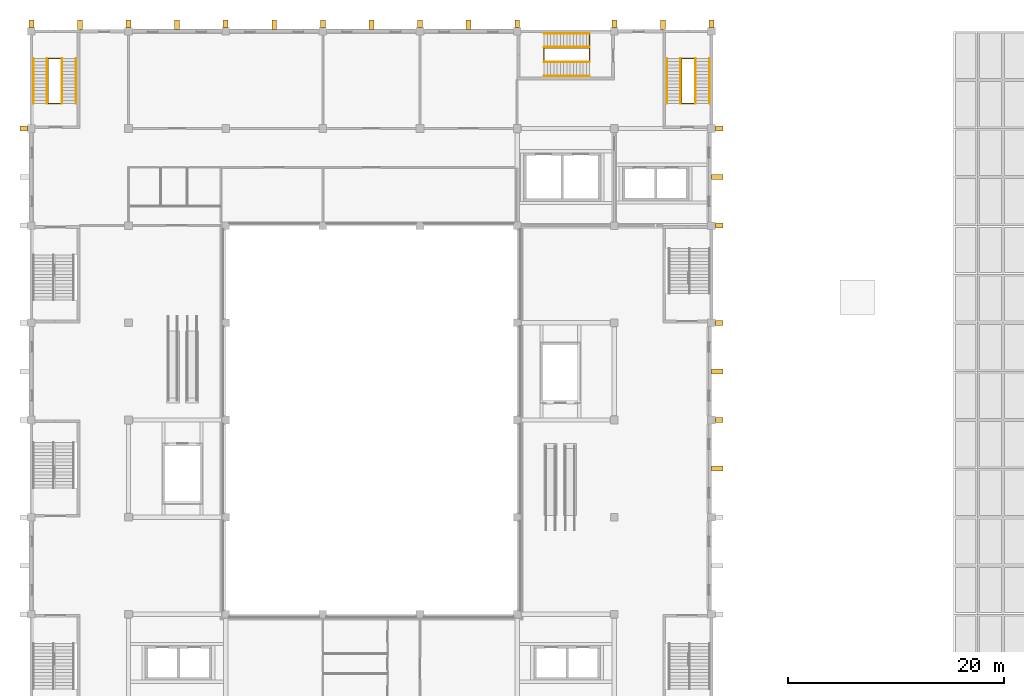
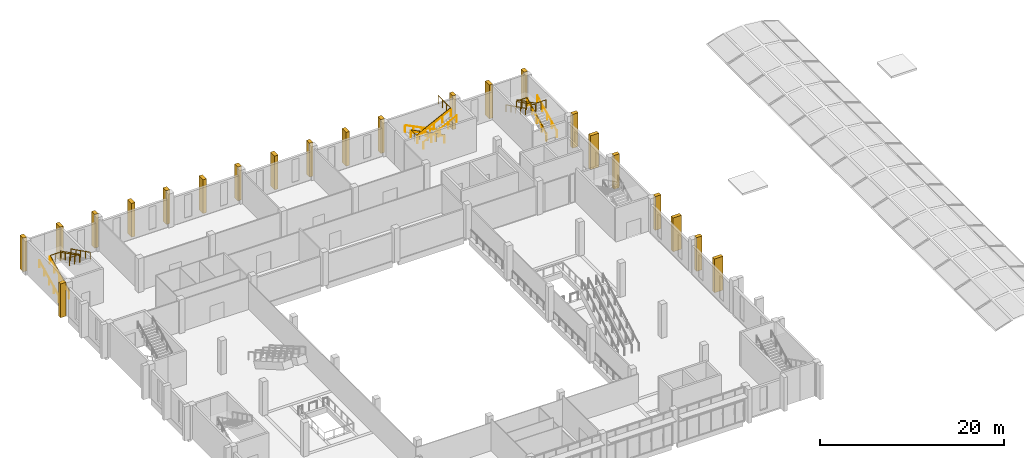
# One storey, part 42 of 45: 22 coverings, 15 railings.
"""IFC4 building model written with IfcOpenShell, lengths in metres."""

from ifc_helpers import new_model, si_unit, direction, frame, origin, origin_2d, place, context, subcontext, project, spatial, rectangle, circle, extrude, material, layer, layer_set, type_object, element, save


model = new_model("IFC4")

# Units and contexts
model_context = context("Model", 3, precision=1e-05, world=origin(), true_north=direction((0.0, 1.0)))
body_context = subcontext(model_context, "Body", "Model", "MODEL_VIEW")
ifc_project = project(units=[si_unit("LENGTHUNIT", "METRE"), si_unit("AREAUNIT", "SQUARE_METRE"), si_unit("VOLUMEUNIT", "CUBIC_METRE"), si_unit("PLANEANGLEUNIT", "RADIAN"), si_unit("MASSUNIT", "GRAM", prefix="KILO")], contexts=[model_context])

# Site, building, storey
site_placement = place(None, origin())
site = spatial("IfcSite", under=ifc_project, at=site_placement, CompositionType="ELEMENT")
building_placement = place(site_placement, origin())
building = spatial("IfcBuilding", under=site, at=building_placement, Name="Guidao Yard Department Store", CompositionType="ELEMENT")
storey_placement = place(building_placement, frame((0.0, 0.0, 19.5)))
storey = spatial("IfcBuildingStorey", under=building, at=storey_placement, Name="L04", CompositionType="ELEMENT", Elevation=19.5)

# Railings
ifc_material_1 = material(Name="Steel Q235", Category="steel")
railing_type_1 = type_object("IfcRailingType", Name="Guard steel balustrade 1100", PredefinedType="GUARDRAIL", material=ifc_material_1)
railing_1_placement = place(storey_placement, frame((1.52490234375, 101.300048828125, 0.14990234375)))
element("IfcRailing", 1, at=railing_1_placement, inside=storey, type_object=railing_type_1, Name="Stair A5 guard L04 5", PredefinedType="GUARDRAIL", context=body_context, shape_type="SweptSolid", body=[
    extrude(circle(Radius=0.02392578125, at=origin_2d()), frame((0.0, 0.0, 1.076171875), z_axis=(0.0, 0.894416792377, 0.447234392142), x_axis=(-1.0, 0.0, 0.0)), (0.0, 0.0, 1.0), 4.69580078125),
    extrude(circle(Radius=0.02392578125, at=origin_2d()), frame((0.0, 4.199951171875, 3.17626953125), z_axis=(1.0, 0.0, 0.0), x_axis=(0.0, 1.0, 0.0)), (0.0, 0.0, 1.0), 1.275146484375),
    extrude(circle(Radius=0.02392578125, at=origin_2d()), frame((1.275146484375, 4.199951171875, 3.17626953125), z_axis=(0.0, 0.0, 1.0), x_axis=(1.0, 0.0, 0.0)), (0.0, 0.0, 1.0), 0.14990234375),
    extrude(circle(Radius=0.02392578125, at=origin_2d()), frame((1.275146484375, 4.199951171875, 3.326171875), z_axis=(0.0, -0.894416792377, 0.447234392142), x_axis=(1.0, 0.0, 0.0)), (0.0, 0.0, 1.0), 4.69580078125),
    extrude(circle(Radius=0.02392578125, at=origin_2d()), frame((1.275146484375, 0.0, 5.42626953125), z_axis=(-1.0, 0.0, 0.0), x_axis=(0.0, -1.0, 0.0)), (0.0, 0.0, 1.0), 1.275146484375),
    extrude(circle(Radius=0.02099609375, at=origin_2d()), origin(), (0.0, 0.0, 1.0), 1.052001953125),
    extrude(circle(Radius=0.02099609375, at=origin_2d()), frame((0.0, 1.050048828125, 0.52490234375)), (0.0, 0.0, 1.0), 1.052001953125),
    extrude(circle(Radius=0.02099609375, at=origin_2d()), frame((0.0, 2.10009765625, 1.050048828125)), (0.0, 0.0, 1.0), 1.052001953125),
    extrude(circle(Radius=0.02099609375, at=origin_2d()), frame((0.0, 3.14990234375, 1.5751953125)), (0.0, 0.0, 1.0), 1.052001953125),
    extrude(circle(Radius=0.02099609375, at=origin_2d()), frame((0.0, 4.199951171875, 2.10009765625)), (0.0, 0.0, 1.0), 1.052001953125),
    extrude(circle(Radius=0.02099609375, at=origin_2d()), frame((0.6376953125, 4.199951171875, 2.10009765625)), (0.0, 0.0, 1.0), 1.052001953125),
    extrude(circle(Radius=0.02099609375, at=origin_2d()), frame((1.275146484375, 4.199951171875, 2.10009765625)), (0.0, 0.0, 1.0), 1.052001953125),
    extrude(circle(Radius=0.02099609375, at=origin_2d()), frame((1.275146484375, 4.199951171875, 2.25)), (0.0, 0.0, 1.0), 1.052001953125),
    extrude(circle(Radius=0.02099609375, at=origin_2d()), frame((1.275146484375, 3.14990234375, 2.77490234375)), (0.0, 0.0, 1.0), 1.052001953125),
    extrude(circle(Radius=0.02099609375, at=origin_2d()), frame((1.275146484375, 2.10009765625, 3.300048828125)), (0.0, 0.0, 1.0), 1.052001953125),
    extrude(circle(Radius=0.02099609375, at=origin_2d()), frame((1.275146484375, 1.050048828125, 3.8251953125)), (0.0, 0.0, 1.0), 1.052001953125),
    extrude(circle(Radius=0.02099609375, at=origin_2d()), frame((1.275146484375, 0.0, 4.35009765625)), (0.0, 0.0, 1.0), 1.052001953125),
    extrude(circle(Radius=0.02099609375, at=origin_2d()), frame((0.6376953125, 0.0, 4.35009765625)), (0.0, 0.0, 1.0), 1.052001953125),
    extrude(circle(Radius=0.02099609375, at=origin_2d()), frame((0.0, 0.0, 4.35009765625)), (0.0, 0.0, 1.0), 1.052001953125),
])
railing_2_placement = place(storey_placement, frame((61.47509765625, 101.300048828125, 0.14990234375)))
element("IfcRailing", 2, at=railing_2_placement, inside=storey, type_object=railing_type_1, Name="Stair A6 guard L04 6", PredefinedType="GUARDRAIL", context=body_context, shape_type="SweptSolid", body=[
    extrude(circle(Radius=0.02392578125, at=origin_2d()), frame((0.0, 0.0, 1.076171875), z_axis=(0.0, 0.894416792377, 0.447234392142), x_axis=(-1.0, 0.0, 0.0)), (0.0, 0.0, 1.0), 4.69580078125),
    extrude(circle(Radius=0.02392578125, at=origin_2d()), frame((0.0, 4.199951171875, 3.17626953125), z_axis=(-1.0, 0.0, 0.0), x_axis=(0.0, -1.0, 0.0)), (0.0, 0.0, 1.0), 1.275146484375),
    extrude(circle(Radius=0.02392578125, at=origin_2d()), frame((-1.275146484375, 4.199951171875, 3.17626953125), z_axis=(0.0, 0.0, 1.0), x_axis=(1.0, 0.0, 0.0)), (0.0, 0.0, 1.0), 0.14990234375),
    extrude(circle(Radius=0.02392578125, at=origin_2d()), frame((-1.275146484375, 4.199951171875, 3.326171875), z_axis=(0.0, -0.894416792377, 0.447234392142), x_axis=(1.0, 0.0, 0.0)), (0.0, 0.0, 1.0), 4.69580078125),
    extrude(circle(Radius=0.02392578125, at=origin_2d()), frame((-1.275146484375, 0.0, 5.42626953125), z_axis=(1.0, 0.0, 0.0), x_axis=(0.0, 1.0, 0.0)), (0.0, 0.0, 1.0), 1.275146484375),
    extrude(circle(Radius=0.02099609375, at=origin_2d()), origin(), (0.0, 0.0, 1.0), 1.052001953125),
    extrude(circle(Radius=0.02099609375, at=origin_2d()), frame((0.0, 1.050048828125, 0.52490234375)), (0.0, 0.0, 1.0), 1.052001953125),
    extrude(circle(Radius=0.02099609375, at=origin_2d()), frame((0.0, 2.10009765625, 1.050048828125)), (0.0, 0.0, 1.0), 1.052001953125),
    extrude(circle(Radius=0.02099609375, at=origin_2d()), frame((0.0, 3.14990234375, 1.5751953125)), (0.0, 0.0, 1.0), 1.052001953125),
    extrude(circle(Radius=0.02099609375, at=origin_2d()), frame((0.0, 4.199951171875, 2.10009765625)), (0.0, 0.0, 1.0), 1.052001953125),
    extrude(circle(Radius=0.02099609375, at=origin_2d()), frame((-0.6376953125, 4.199951171875, 2.10009765625)), (0.0, 0.0, 1.0), 1.052001953125),
    extrude(circle(Radius=0.02099609375, at=origin_2d()), frame((-1.275146484375, 4.199951171875, 2.10009765625)), (0.0, 0.0, 1.0), 1.052001953125),
    extrude(circle(Radius=0.02099609375, at=origin_2d()), frame((-1.275146484375, 4.199951171875, 2.25)), (0.0, 0.0, 1.0), 1.052001953125),
    extrude(circle(Radius=0.02099609375, at=origin_2d()), frame((-1.275146484375, 3.14990234375, 2.77490234375)), (0.0, 0.0, 1.0), 1.052001953125),
    extrude(circle(Radius=0.02099609375, at=origin_2d()), frame((-1.275146484375, 2.10009765625, 3.300048828125)), (0.0, 0.0, 1.0), 1.052001953125),
    extrude(circle(Radius=0.02099609375, at=origin_2d()), frame((-1.275146484375, 1.050048828125, 3.8251953125)), (0.0, 0.0, 1.0), 1.052001953125),
    extrude(circle(Radius=0.02099609375, at=origin_2d()), frame((-1.275146484375, 0.0, 4.35009765625)), (0.0, 0.0, 1.0), 1.052001953125),
    extrude(circle(Radius=0.02099609375, at=origin_2d()), frame((-0.6376953125, 0.0, 4.35009765625)), (0.0, 0.0, 1.0), 1.052001953125),
    extrude(circle(Radius=0.02099609375, at=origin_2d()), frame((0.0, 0.0, 4.35009765625)), (0.0, 0.0, 1.0), 1.052001953125),
])
railing_3_placement = place(storey_placement, frame((51.699951171875, 106.47509765625, 0.14990234375)))
element("IfcRailing", 3, at=railing_3_placement, inside=storey, type_object=railing_type_1, Name="Stair A7 guard L04 7", PredefinedType="GUARDRAIL", context=body_context, shape_type="SweptSolid", body=[
    extrude(circle(Radius=0.02392578125, at=origin_2d()), frame((0.0, 0.0, 1.076171875), z_axis=(-0.894416792377, 0.0, 0.447234392142), x_axis=(0.0, -1.0, 0.0)), (0.0, 0.0, 1.0), 4.69580078125),
    extrude(circle(Radius=0.02392578125, at=origin_2d()), frame((-4.199951171875, 0.0, 3.17626953125), z_axis=(0.0, -1.0, 0.0), x_axis=(1.0, 0.0, 0.0)), (0.0, 0.0, 1.0), 1.275146484375),
    extrude(circle(Radius=0.02392578125, at=origin_2d()), frame((-4.199951171875, -1.275146484375, 3.17626953125), z_axis=(0.0, 0.0, 1.0), x_axis=(1.0, 0.0, 0.0)), (0.0, 0.0, 1.0), 0.14990234375),
    extrude(circle(Radius=0.02392578125, at=origin_2d()), frame((-4.199951171875, -1.275146484375, 3.326171875), z_axis=(0.894416792377, 0.0, 0.447234392142), x_axis=(0.0, 1.0, 0.0)), (0.0, 0.0, 1.0), 4.69580078125),
    extrude(circle(Radius=0.02392578125, at=origin_2d()), frame((0.0, -1.275146484375, 5.42626953125), z_axis=(0.0, 1.0, 0.0), x_axis=(-1.0, 0.0, 0.0)), (0.0, 0.0, 1.0), 2.675048828125),
    extrude(circle(Radius=0.02099609375, at=origin_2d()), origin(), (0.0, 0.0, 1.0), 1.052001953125),
    extrude(circle(Radius=0.02099609375, at=origin_2d()), frame((-1.050048828125, 0.0, 0.52490234375)), (0.0, 0.0, 1.0), 1.052001953125),
    extrude(circle(Radius=0.02099609375, at=origin_2d()), frame((-2.10009765625, 0.0, 1.050048828125)), (0.0, 0.0, 1.0), 1.052001953125),
    extrude(circle(Radius=0.02099609375, at=origin_2d()), frame((-3.14990234375, 0.0, 1.5751953125)), (0.0, 0.0, 1.0), 1.052001953125),
    extrude(circle(Radius=0.02099609375, at=origin_2d()), frame((-4.199951171875, 0.0, 2.10009765625)), (0.0, 0.0, 1.0), 1.052001953125),
    extrude(circle(Radius=0.02099609375, at=origin_2d()), frame((-4.199951171875, -0.6376953125, 2.10009765625)), (0.0, 0.0, 1.0), 1.052001953125),
    extrude(circle(Radius=0.02099609375, at=origin_2d()), frame((-4.199951171875, -1.275146484375, 2.10009765625)), (0.0, 0.0, 1.0), 1.052001953125),
    extrude(circle(Radius=0.02099609375, at=origin_2d()), frame((-4.199951171875, -1.275146484375, 2.25)), (0.0, 0.0, 1.0), 1.052001953125),
    extrude(circle(Radius=0.02099609375, at=origin_2d()), frame((-3.14990234375, -1.275146484375, 2.77490234375)), (0.0, 0.0, 1.0), 1.052001953125),
    extrude(circle(Radius=0.02099609375, at=origin_2d()), frame((-2.10009765625, -1.275146484375, 3.300048828125)), (0.0, 0.0, 1.0), 1.052001953125),
    extrude(circle(Radius=0.02099609375, at=origin_2d()), frame((-1.050048828125, -1.275146484375, 3.8251953125)), (0.0, 0.0, 1.0), 1.052001953125),
    extrude(circle(Radius=0.02099609375, at=origin_2d()), frame((0.0, -1.275146484375, 4.35009765625)), (0.0, 0.0, 1.0), 1.052001953125),
    extrude(circle(Radius=0.02099609375, at=origin_2d()), frame((0.0, -0.383544921875, 4.35009765625)), (0.0, 0.0, 1.0), 1.052001953125),
    extrude(circle(Radius=0.02099609375, at=origin_2d()), frame((0.0, 0.50830078125, 4.35009765625)), (0.0, 0.0, 1.0), 1.052001953125),
    extrude(circle(Radius=0.02099609375, at=origin_2d()), frame((0.0, 1.39990234375, 4.35009765625)), (0.0, 0.0, 1.0), 1.052001953125),
])
ifc_material_2 = material(Name="Steel Q235", Category="steel")
railing_type_2 = type_object("IfcRailingType", Name="Handrail steel tube 48", PredefinedType="HANDRAIL", material=ifc_material_2)
for number, where, name in (
    (4, (0.18505859375, 101.300048828125, 0.14990234375), "Stair A5 hand rail L04 17"),
    (5, (1.465087890625, 101.300048828125, 0.14990234375), "Stair A5 hand rail L04 18"),
):
    element("IfcRailing", number, at=place(storey_placement, frame(where)), inside=storey, type_object=railing_type_2, Name=name, PredefinedType="HANDRAIL", context=body_context, shape_type="SweptSolid", body=[
        extrude(circle(Radius=0.02392578125, at=origin_2d()), frame((0.0, 0.0, 0.8759765625), z_axis=(0.0, 0.894416792377, 0.447234392142), x_axis=(-1.0, 0.0, 0.0)), (0.0, 0.0, 1.0), 4.69580078125),
        extrude(circle(Radius=0.02099609375, at=origin_2d()), origin(), (0.0, 0.0, 1.0), 0.851806640625),
        extrude(circle(Radius=0.02099609375, at=origin_2d()), frame((0.0, 1.050048828125, 0.52490234375)), (0.0, 0.0, 1.0), 0.851806640625),
        extrude(circle(Radius=0.02099609375, at=origin_2d()), frame((0.0, 2.10009765625, 1.050048828125)), (0.0, 0.0, 1.0), 0.851806640625),
        extrude(circle(Radius=0.02099609375, at=origin_2d()), frame((0.0, 3.14990234375, 1.5751953125)), (0.0, 0.0, 1.0), 0.851806640625),
        extrude(circle(Radius=0.02099609375, at=origin_2d()), frame((0.0, 4.199951171875, 2.10009765625)), (0.0, 0.0, 1.0), 0.851806640625),
    ])
for number, where, name in (
    (6, (2.860107421875, 105.5, 2.39990234375), "Stair A5 hand rail L04 19"),
    (7, (4.139892578125, 105.5, 2.39990234375), "Stair A5 hand rail L04 20"),
):
    element("IfcRailing", number, at=place(storey_placement, frame(where)), inside=storey, type_object=railing_type_2, Name=name, PredefinedType="HANDRAIL", context=body_context, shape_type="SweptSolid", body=[
        extrude(circle(Radius=0.02392578125, at=origin_2d()), frame((0.0, 0.0, 0.8759765625), z_axis=(0.0, -0.894416792377, 0.447234392142), x_axis=(1.0, 0.0, 0.0)), (0.0, 0.0, 1.0), 4.69580078125),
        extrude(circle(Radius=0.02099609375, at=origin_2d()), origin(), (0.0, 0.0, 1.0), 0.851806640625),
        extrude(circle(Radius=0.02099609375, at=origin_2d()), frame((0.0, -1.050048828125, 0.52490234375)), (0.0, 0.0, 1.0), 0.851806640625),
        extrude(circle(Radius=0.02099609375, at=origin_2d()), frame((0.0, -2.10009765625, 1.050048828125)), (0.0, 0.0, 1.0), 0.851806640625),
        extrude(circle(Radius=0.02099609375, at=origin_2d()), frame((0.0, -3.14990234375, 1.5751953125)), (0.0, 0.0, 1.0), 0.851806640625),
        extrude(circle(Radius=0.02099609375, at=origin_2d()), frame((0.0, -4.199951171875, 2.10009765625)), (0.0, 0.0, 1.0), 0.851806640625),
    ])
for number, where, name in (
    (8, (62.81494140625, 101.300048828125, 0.14990234375), "Stair A6 hand rail L04 21"),
    (9, (61.534912109375, 101.300048828125, 0.14990234375), "Stair A6 hand rail L04 22"),
):
    element("IfcRailing", number, at=place(storey_placement, frame(where)), inside=storey, type_object=railing_type_2, Name=name, PredefinedType="HANDRAIL", context=body_context, shape_type="SweptSolid", body=[
        extrude(circle(Radius=0.02392578125, at=origin_2d()), frame((0.0, 0.0, 0.8759765625), z_axis=(0.0, 0.894416792377, 0.447234392142), x_axis=(-1.0, 0.0, 0.0)), (0.0, 0.0, 1.0), 4.69580078125),
        extrude(circle(Radius=0.02099609375, at=origin_2d()), origin(), (0.0, 0.0, 1.0), 0.851806640625),
        extrude(circle(Radius=0.02099609375, at=origin_2d()), frame((0.0, 1.050048828125, 0.52490234375)), (0.0, 0.0, 1.0), 0.851806640625),
        extrude(circle(Radius=0.02099609375, at=origin_2d()), frame((0.0, 2.10009765625, 1.050048828125)), (0.0, 0.0, 1.0), 0.851806640625),
        extrude(circle(Radius=0.02099609375, at=origin_2d()), frame((0.0, 3.14990234375, 1.5751953125)), (0.0, 0.0, 1.0), 0.851806640625),
        extrude(circle(Radius=0.02099609375, at=origin_2d()), frame((0.0, 4.199951171875, 2.10009765625)), (0.0, 0.0, 1.0), 0.851806640625),
    ])
for number, where, name in (
    (10, (60.139892578125, 105.5, 2.39990234375), "Stair A6 hand rail L04 23"),
    (11, (58.860107421875, 105.5, 2.39990234375), "Stair A6 hand rail L04 24"),
):
    element("IfcRailing", number, at=place(storey_placement, frame(where)), inside=storey, type_object=railing_type_2, Name=name, PredefinedType="HANDRAIL", context=body_context, shape_type="SweptSolid", body=[
        extrude(circle(Radius=0.02392578125, at=origin_2d()), frame((0.0, 0.0, 0.8759765625), z_axis=(0.0, -0.894416792377, 0.447234392142), x_axis=(1.0, 0.0, 0.0)), (0.0, 0.0, 1.0), 4.69580078125),
        extrude(circle(Radius=0.02099609375, at=origin_2d()), origin(), (0.0, 0.0, 1.0), 0.851806640625),
        extrude(circle(Radius=0.02099609375, at=origin_2d()), frame((0.0, -1.050048828125, 0.52490234375)), (0.0, 0.0, 1.0), 0.851806640625),
        extrude(circle(Radius=0.02099609375, at=origin_2d()), frame((0.0, -2.10009765625, 1.050048828125)), (0.0, 0.0, 1.0), 0.851806640625),
        extrude(circle(Radius=0.02099609375, at=origin_2d()), frame((0.0, -3.14990234375, 1.5751953125)), (0.0, 0.0, 1.0), 0.851806640625),
        extrude(circle(Radius=0.02099609375, at=origin_2d()), frame((0.0, -4.199951171875, 2.10009765625)), (0.0, 0.0, 1.0), 0.851806640625),
    ])
for number, where, name in (
    (12, (51.699951171875, 107.81494140625, 0.14990234375), "Stair A7 hand rail L04 25"),
    (13, (51.699951171875, 106.534912109375, 0.14990234375), "Stair A7 hand rail L04 26"),
):
    element("IfcRailing", number, at=place(storey_placement, frame(where)), inside=storey, type_object=railing_type_2, Name=name, PredefinedType="HANDRAIL", context=body_context, shape_type="SweptSolid", body=[
        extrude(circle(Radius=0.02392578125, at=origin_2d()), frame((0.0, 0.0, 0.8759765625), z_axis=(-0.894416792377, 0.0, 0.447234392142), x_axis=(0.0, -1.0, 0.0)), (0.0, 0.0, 1.0), 4.69580078125),
        extrude(circle(Radius=0.02099609375, at=origin_2d()), origin(), (0.0, 0.0, 1.0), 0.851806640625),
        extrude(circle(Radius=0.02099609375, at=origin_2d()), frame((-1.050048828125, 0.0, 0.52490234375)), (0.0, 0.0, 1.0), 0.851806640625),
        extrude(circle(Radius=0.02099609375, at=origin_2d()), frame((-2.10009765625, 0.0, 1.050048828125)), (0.0, 0.0, 1.0), 0.851806640625),
        extrude(circle(Radius=0.02099609375, at=origin_2d()), frame((-3.14990234375, 0.0, 1.5751953125)), (0.0, 0.0, 1.0), 0.851806640625),
        extrude(circle(Radius=0.02099609375, at=origin_2d()), frame((-4.199951171875, 0.0, 2.10009765625)), (0.0, 0.0, 1.0), 0.851806640625),
    ])
for number, where, name in (
    (14, (47.5, 105.139892578125, 2.39990234375), "Stair A7 hand rail L04 27"),
    (15, (47.5, 103.860107421875, 2.39990234375), "Stair A7 hand rail L04 28"),
):
    element("IfcRailing", number, at=place(storey_placement, frame(where)), inside=storey, type_object=railing_type_2, Name=name, PredefinedType="HANDRAIL", context=body_context, shape_type="SweptSolid", body=[
        extrude(circle(Radius=0.02392578125, at=origin_2d()), frame((0.0, 0.0, 0.8759765625), z_axis=(0.894416792377, 0.0, 0.447234392142), x_axis=(0.0, 1.0, 0.0)), (0.0, 0.0, 1.0), 4.69580078125),
        extrude(circle(Radius=0.02099609375, at=origin_2d()), origin(), (0.0, 0.0, 1.0), 0.851806640625),
        extrude(circle(Radius=0.02099609375, at=origin_2d()), frame((1.050048828125, 0.0, 0.52490234375)), (0.0, 0.0, 1.0), 0.851806640625),
        extrude(circle(Radius=0.02099609375, at=origin_2d()), frame((2.10009765625, 0.0, 1.050048828125)), (0.0, 0.0, 1.0), 0.851806640625),
        extrude(circle(Radius=0.02099609375, at=origin_2d()), frame((3.14990234375, 0.0, 1.5751953125)), (0.0, 0.0, 1.0), 0.851806640625),
        extrude(circle(Radius=0.02099609375, at=origin_2d()), frame((4.199951171875, 0.0, 2.10009765625)), (0.0, 0.0, 1.0), 0.851806640625),
    ])

# Coverings
ifc_material_3 = material(Name="Precast concrete C40/50", Category="concrete")
ifc_layer = layer(ifc_material_3, 0.449951171875)
ifc_layer_set = layer_set([ifc_layer], Name="Precast fin FN1 board-formed concrete")
covering_type = type_object("IfcCoveringType", Name="Precast fin FN1 board-formed concrete", PredefinedType="CLADDING", material=ifc_layer_set)
for number, where, z_axis, x_axis, name in (
    (16, (-0.699951171875, 99.0, 0.0), (0.0, 0.0, 1.0), (0.0, 1.0, 0.0), "Precast fin"),
    (17, (0.0, 108.699951171875, 0.0), (0.0, 0.0, 1.0), (1.0, 0.0, 0.0), "Precast fin"),
):
    element("IfcCovering", number, at=place(storey_placement, frame(where, z_axis=z_axis, x_axis=x_axis)), inside=storey, type_object=covering_type, Name=name, PredefinedType="CLADDING", context=body_context, shape_type="SweptSolid", body=[
        extrude(rectangle(XDim=0.449951171875, YDim=0.699951171875, at=origin_2d()), origin(), (0.0, 0.0, 1.0), 4.5),
    ])
covering_1_placement = place(storey_placement, frame((4.5, 108.60009765625, 0.0), z_axis=(0.0, 0.0, 1.0), x_axis=(1.0, 0.0, 0.0)))
element("IfcCovering", 18, at=covering_1_placement, inside=storey, type_object=covering_type, Name="Precast fin", PredefinedType="CLADDING", context=body_context, shape_type="SweptSolid", body=[
    extrude(rectangle(XDim=0.449951171875, YDim=0.89990234375, at=origin_2d()), origin(), (0.0, 0.0, 1.0), 4.5),
])
covering_2_placement = place(storey_placement, frame((9.0, 108.699951171875, 0.0), z_axis=(0.0, 0.0, 1.0), x_axis=(1.0, 0.0, 0.0)))
element("IfcCovering", 19, at=covering_2_placement, inside=storey, type_object=covering_type, Name="Precast fin", PredefinedType="CLADDING", context=body_context, shape_type="SweptSolid", body=[
    extrude(rectangle(XDim=0.449951171875, YDim=0.699951171875, at=origin_2d()), origin(), (0.0, 0.0, 1.0), 4.5),
])
covering_3_placement = place(storey_placement, frame((13.5, 108.60009765625, 0.0), z_axis=(0.0, 0.0, 1.0), x_axis=(1.0, 0.0, 0.0)))
element("IfcCovering", 20, at=covering_3_placement, inside=storey, type_object=covering_type, Name="Precast fin", PredefinedType="CLADDING", context=body_context, shape_type="SweptSolid", body=[
    extrude(rectangle(XDim=0.449951171875, YDim=0.89990234375, at=origin_2d()), origin(), (0.0, 0.0, 1.0), 4.5),
])
covering_4_placement = place(storey_placement, frame((18.0, 108.699951171875, 0.0), z_axis=(0.0, 0.0, 1.0), x_axis=(1.0, 0.0, 0.0)))
element("IfcCovering", 21, at=covering_4_placement, inside=storey, type_object=covering_type, Name="Precast fin", PredefinedType="CLADDING", context=body_context, shape_type="SweptSolid", body=[
    extrude(rectangle(XDim=0.449951171875, YDim=0.699951171875, at=origin_2d()), origin(), (0.0, 0.0, 1.0), 4.5),
])
covering_5_placement = place(storey_placement, frame((22.5, 108.60009765625, 0.0), z_axis=(0.0, 0.0, 1.0), x_axis=(1.0, 0.0, 0.0)))
element("IfcCovering", 22, at=covering_5_placement, inside=storey, type_object=covering_type, Name="Precast fin", PredefinedType="CLADDING", context=body_context, shape_type="SweptSolid", body=[
    extrude(rectangle(XDim=0.449951171875, YDim=0.89990234375, at=origin_2d()), origin(), (0.0, 0.0, 1.0), 4.5),
])
covering_6_placement = place(storey_placement, frame((27.0, 108.699951171875, 0.0), z_axis=(0.0, 0.0, 1.0), x_axis=(1.0, 0.0, 0.0)))
element("IfcCovering", 23, at=covering_6_placement, inside=storey, type_object=covering_type, Name="Precast fin", PredefinedType="CLADDING", context=body_context, shape_type="SweptSolid", body=[
    extrude(rectangle(XDim=0.449951171875, YDim=0.699951171875, at=origin_2d()), origin(), (0.0, 0.0, 1.0), 4.5),
])
covering_7_placement = place(storey_placement, frame((31.5, 108.60009765625, 0.0), z_axis=(0.0, 0.0, 1.0), x_axis=(1.0, 0.0, 0.0)))
element("IfcCovering", 24, at=covering_7_placement, inside=storey, type_object=covering_type, Name="Precast fin", PredefinedType="CLADDING", context=body_context, shape_type="SweptSolid", body=[
    extrude(rectangle(XDim=0.449951171875, YDim=0.89990234375, at=origin_2d()), origin(), (0.0, 0.0, 1.0), 4.5),
])
covering_8_placement = place(storey_placement, frame((36.0, 108.699951171875, 0.0), z_axis=(0.0, 0.0, 1.0), x_axis=(1.0, 0.0, 0.0)))
element("IfcCovering", 25, at=covering_8_placement, inside=storey, type_object=covering_type, Name="Precast fin", PredefinedType="CLADDING", context=body_context, shape_type="SweptSolid", body=[
    extrude(rectangle(XDim=0.449951171875, YDim=0.699951171875, at=origin_2d()), origin(), (0.0, 0.0, 1.0), 4.5),
])
covering_9_placement = place(storey_placement, frame((40.5, 108.60009765625, 0.0), z_axis=(0.0, 0.0, 1.0), x_axis=(1.0, 0.0, 0.0)))
element("IfcCovering", 26, at=covering_9_placement, inside=storey, type_object=covering_type, Name="Precast fin", PredefinedType="CLADDING", context=body_context, shape_type="SweptSolid", body=[
    extrude(rectangle(XDim=0.449951171875, YDim=0.89990234375, at=origin_2d()), origin(), (0.0, 0.0, 1.0), 4.5),
])
for number, where, z_axis, x_axis, name in (
    (27, (45.0, 108.699951171875, 0.0), (0.0, 0.0, 1.0), (1.0, 0.0, 0.0), "Precast fin"),
    (28, (54.0, 108.699951171875, 0.0), (0.0, 0.0, 1.0), (1.0, 0.0, 0.0), "Precast fin"),
):
    element("IfcCovering", number, at=place(storey_placement, frame(where, z_axis=z_axis, x_axis=x_axis)), inside=storey, type_object=covering_type, Name=name, PredefinedType="CLADDING", context=body_context, shape_type="SweptSolid", body=[
        extrude(rectangle(XDim=0.449951171875, YDim=0.699951171875, at=origin_2d()), origin(), (0.0, 0.0, 1.0), 4.5),
    ])
covering_10_placement = place(storey_placement, frame((58.5, 108.60009765625, 0.0), z_axis=(0.0, 0.0, 1.0), x_axis=(1.0, 0.0, 0.0)))
element("IfcCovering", 29, at=covering_10_placement, inside=storey, type_object=covering_type, Name="Precast fin", PredefinedType="CLADDING", context=body_context, shape_type="SweptSolid", body=[
    extrude(rectangle(XDim=0.449951171875, YDim=0.89990234375, at=origin_2d()), origin(), (0.0, 0.0, 1.0), 4.5),
])
covering_11_placement = place(storey_placement, frame((63.0, 108.699951171875, 0.0), z_axis=(0.0, 0.0, 1.0), x_axis=(1.0, 0.0, 0.0)))
element("IfcCovering", 30, at=covering_11_placement, inside=storey, type_object=covering_type, Name="Precast fin", PredefinedType="CLADDING", context=body_context, shape_type="SweptSolid", body=[
    extrude(rectangle(XDim=0.449951171875, YDim=0.699951171875, at=origin_2d()), origin(), (0.0, 0.0, 1.0), 4.5),
])
covering_12_placement = place(storey_placement, frame((63.52490234375, 67.5, 0.0), z_axis=(0.0, 0.0, 1.0), x_axis=(0.0, -1.0, 0.0)))
element("IfcCovering", 31, at=covering_12_placement, inside=storey, type_object=covering_type, Name="Precast fin", PredefinedType="CLADDING", context=body_context, shape_type="SweptSolid", body=[
    extrude(rectangle(XDim=0.449951171875, YDim=1.050048828125, at=origin_2d()), origin(), (0.0, 0.0, 1.0), 4.5),
])
covering_13_placement = place(storey_placement, frame((63.699951171875, 72.0, 0.0), z_axis=(0.0, 0.0, 1.0), x_axis=(0.0, -1.0, 0.0)))
element("IfcCovering", 32, at=covering_13_placement, inside=storey, type_object=covering_type, Name="Precast fin", PredefinedType="CLADDING", context=body_context, shape_type="SweptSolid", body=[
    extrude(rectangle(XDim=0.449951171875, YDim=0.699951171875, at=origin_2d()), origin(), (0.0, 0.0, 1.0), 4.5),
])
covering_14_placement = place(storey_placement, frame((63.52490234375, 76.5, 0.0), z_axis=(0.0, 0.0, 1.0), x_axis=(0.0, -1.0, 0.0)))
element("IfcCovering", 33, at=covering_14_placement, inside=storey, type_object=covering_type, Name="Precast fin", PredefinedType="CLADDING", context=body_context, shape_type="SweptSolid", body=[
    extrude(rectangle(XDim=0.449951171875, YDim=1.050048828125, at=origin_2d()), origin(), (0.0, 0.0, 1.0), 4.5),
])
for number, where, z_axis, x_axis, name in (
    (34, (63.699951171875, 81.0, 0.0), (0.0, 0.0, 1.0), (0.0, -1.0, 0.0), "Precast fin"),
    (35, (63.699951171875, 90.0, 0.0), (0.0, 0.0, 1.0), (0.0, -1.0, 0.0), "Precast fin"),
):
    element("IfcCovering", number, at=place(storey_placement, frame(where, z_axis=z_axis, x_axis=x_axis)), inside=storey, type_object=covering_type, Name=name, PredefinedType="CLADDING", context=body_context, shape_type="SweptSolid", body=[
        extrude(rectangle(XDim=0.449951171875, YDim=0.699951171875, at=origin_2d()), origin(), (0.0, 0.0, 1.0), 4.5),
    ])
covering_15_placement = place(storey_placement, frame((63.52490234375, 94.5, 0.0), z_axis=(0.0, 0.0, 1.0), x_axis=(0.0, -1.0, 0.0)))
element("IfcCovering", 36, at=covering_15_placement, inside=storey, type_object=covering_type, Name="Precast fin", PredefinedType="CLADDING", context=body_context, shape_type="SweptSolid", body=[
    extrude(rectangle(XDim=0.449951171875, YDim=1.050048828125, at=origin_2d()), origin(), (0.0, 0.0, 1.0), 4.5),
])
covering_16_placement = place(storey_placement, frame((63.699951171875, 99.0, 0.0), z_axis=(0.0, 0.0, 1.0), x_axis=(0.0, -1.0, 0.0)))
element("IfcCovering", 37, at=covering_16_placement, inside=storey, type_object=covering_type, Name="Precast fin", PredefinedType="CLADDING", context=body_context, shape_type="SweptSolid", body=[
    extrude(rectangle(XDim=0.449951171875, YDim=0.699951171875, at=origin_2d()), origin(), (0.0, 0.0, 1.0), 4.5),
])

save(model, "model.ifc")
